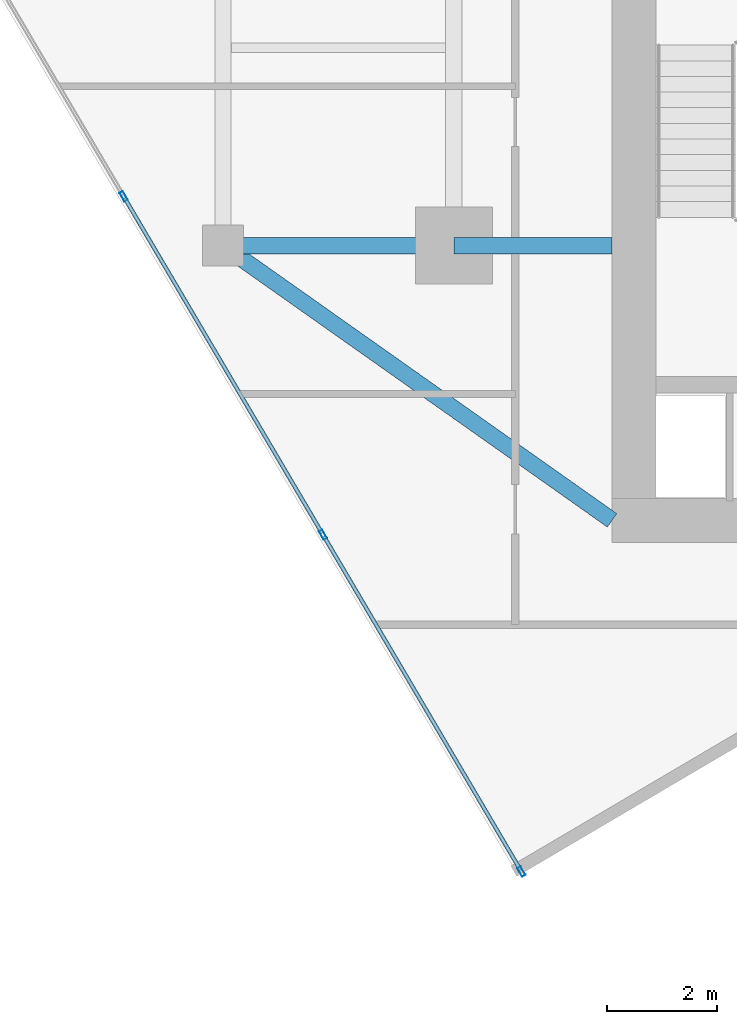
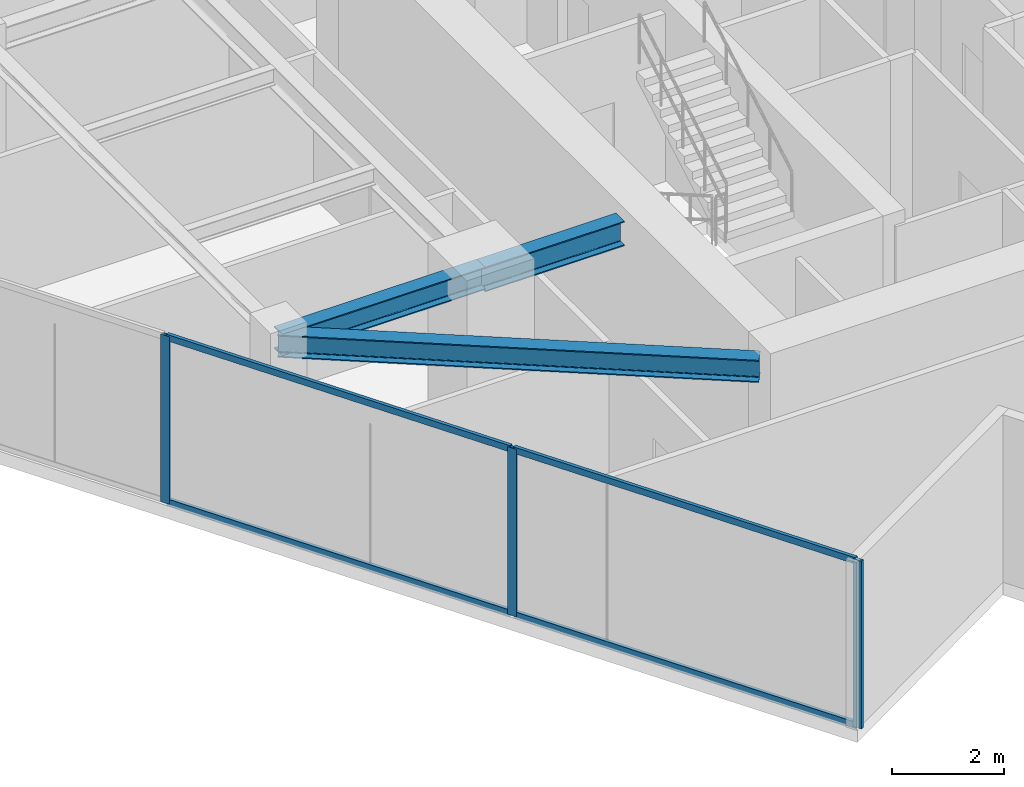
# One storey, part 2 of 20: 7 members, 3 beams, 1 element without a shape of its own.
"""IFC4 building model written with IfcOpenShell, lengths in metres."""

from ifc_helpers import new_model, si_unit, direction, frame, origin, origin_2d, place, context, subcontext, project, spatial, hollow_rectangle, i_section, extrude, source, transform, mapped, material, material_profile, profile_set, type_object, type_shapes, element, aggregate, save


model = new_model("IFC4")

# Units and contexts
model_context = context("Model", 3, precision=1e-05, world=origin(), true_north=direction((0.0, 1.0)))
body_context = subcontext(model_context, "Body", "Model", "MODEL_VIEW")
ifc_project = project(units=[si_unit("LENGTHUNIT", "METRE"), si_unit("AREAUNIT", "SQUARE_METRE"), si_unit("VOLUMEUNIT", "CUBIC_METRE"), si_unit("PLANEANGLEUNIT", "RADIAN"), si_unit("MASSUNIT", "GRAM", prefix="KILO")], contexts=[model_context])

# Site, building, storey
site_placement = place(None, origin())
site = spatial("IfcSite", under=ifc_project, at=site_placement, CompositionType="ELEMENT")
building_placement = place(site_placement, origin())
building = spatial("IfcBuilding", under=site, at=building_placement, Name="Krantzveldt Concourse Tower", CompositionType="ELEMENT")
storey_placement = place(building_placement, frame((0.0, 0.0, 299.0)))
storey = spatial("IfcBuildingStorey", under=building, at=storey_placement, Name="L73", CompositionType="ELEMENT", Elevation=299.0)

# Beams
ifc_material_1 = material(Name="Steel S355JR", Category="steel")
ifc_material_profile_1 = material_profile(ifc_material_1, i_section(OverallWidth=0.300048828125, OverallDepth=0.489990234375, WebThickness=0.011962890625, FlangeThickness=0.02294921875, FilletRadius=0.027099609375, at=origin_2d()), Name="Steel S355JR", Category="steel")
ifc_profile_set_1 = profile_set([ifc_material_profile_1], Name="Steel S355JR - HEA 500")
beam_type_1 = type_object("IfcBeamType", Name="BM-B-HEA500", PredefinedType="BEAM", material=ifc_profile_set_1)
shared_shape_1 = source(origin(), body_context, "Body", "SweptSolid", [
    extrude(i_section(OverallWidth=0.300048828125, OverallDepth=0.489990234375, WebThickness=0.011962890625, FlangeThickness=0.02294921875, FilletRadius=0.027099609375, at=origin_2d()), origin(), (0.0, 0.0, 1.0), 4.199951171875),
])
beam_1_placement = place(storey_placement, frame((21.0, 15.89990234375, 3.425048828125), z_axis=(1.0, 0.0, 0.0), x_axis=(0.0, 1.0, 0.0)))
element("IfcBeam", 1, at=beam_1_placement, inside=storey, type_object=beam_type_1, Name="L73 Tower Girder BR-RL1", PredefinedType="BEAM", context=body_context, shape_type="MappedRepresentation", body=[
    mapped(shared_shape_1, transform((0.0, 0.0, 0.0), x_axis=(1.0, 0.0, 0.0), y_axis=(0.0, 1.0, 0.0), z_axis=(0.0, 0.0, 1.0), scale=1.0)),
])
shared_shape_2 = source(origin(), body_context, "Body", "SweptSolid", [
    extrude(i_section(OverallWidth=0.300048828125, OverallDepth=0.489990234375, WebThickness=0.011962890625, FlangeThickness=0.02294921875, FilletRadius=0.027099609375, at=origin_2d()), origin(), (0.0, 0.0, 1.0), 8.667724609375),
])
type_shapes(beam_type_1, [shared_shape_1, shared_shape_2])
beam_2_placement = place(storey_placement, frame((21.0, 15.89990234375, 3.425048828125), z_axis=(0.81684294656, -0.576860122261, 0.0), x_axis=(0.576860122261, 0.81684294656, 0.0)))
element("IfcBeam", 2, at=beam_2_placement, inside=storey, type_object=beam_type_1, Name="L73 Tower Girder BR-CSW", PredefinedType="BEAM", context=body_context, shape_type="MappedRepresentation", body=[
    mapped(shared_shape_2, transform((0.0, 0.0, 0.0), x_axis=(1.0, 0.0, 0.0), y_axis=(0.0, 1.0, 0.0), z_axis=(0.0, 0.0, 1.0), scale=1.0)),
])
ifc_material_profile_2 = material_profile(ifc_material_1, i_section(OverallWidth=0.300048828125, OverallDepth=0.5400390625, WebThickness=0.012451171875, FlangeThickness=0.02392578125, FilletRadius=0.027099609375, at=origin_2d()), Name="Steel S355JR", Category="steel")
ifc_profile_set_2 = profile_set([ifc_material_profile_2], Name="Steel S355JR - HEA 550")
beam_type_2 = type_object("IfcBeamType", Name="BM-B-HEA550", PredefinedType="BEAM", material=ifc_profile_set_2)
shared_shape_3 = source(origin(), body_context, "Body", "SweptSolid", [
    extrude(i_section(OverallWidth=0.300048828125, OverallDepth=0.5400390625, WebThickness=0.012451171875, FlangeThickness=0.02392578125, FilletRadius=0.027099609375, at=origin_2d()), origin(), (0.0, 0.0, 1.0), 2.880126953125),
])
type_shapes(beam_type_2, [shared_shape_3])
beam_3_placement = place(storey_placement, frame((25.199951171875, 15.89990234375, 3.39990234375), z_axis=(1.0, 0.0, 0.0), x_axis=(0.0, 1.0, 0.0)))
element("IfcBeam", 3, at=beam_3_placement, inside=storey, type_object=beam_type_2, Name="L73 Tower Girder BG-CW1", PredefinedType="BEAM", context=body_context, shape_type="MappedRepresentation", body=[
    mapped(shared_shape_3, transform((0.0, 0.0, 0.0), x_axis=(1.0, 0.0, 0.0), y_axis=(0.0, 1.0, 0.0), z_axis=(0.0, 0.0, 1.0), scale=1.0)),
])

# Curtain wall, members
ifc_material_2 = material(Name="Anodised aluminium 6063-T6", Category="aluminium")
curtain_wall_type = type_object("IfcCurtainWallType", Name="CW4", PredefinedType="USERDEFINED", material=ifc_material_2)
curtain_wall_placement = place(storey_placement, origin())
curtain_wall = element("IfcCurtainWall", 4, at=curtain_wall_placement, inside=storey, type_object=curtain_wall_type, Name="CW-L73-F04", ObjectType="UNITISED CURTAIN WALL", PredefinedType="USERDEFINED")
ifc_material_profile_3 = material_profile(ifc_material_2, hollow_rectangle(XDim=0.070068359375, YDim=0.179931640625, WallThickness=0.0048828125, at=origin_2d()), Name="Anodised aluminium 6063-T6", Category="aluminium")
ifc_profile_set_3 = profile_set([ifc_material_profile_3], Name="Anodised aluminium 6063-T6 - ALU-MULL 180x70x5")
member_type_1 = type_object("IfcMemberType", Name="CW-MUL-180", PredefinedType="MULLION", material=ifc_profile_set_3)
shared_shape_4 = source(origin(), body_context, "Body", "SweptSolid", [
    extrude(hollow_rectangle(XDim=0.070068359375, YDim=0.179931640625, WallThickness=0.0048828125, at=origin_2d()), origin(), (0.0, 0.0, 1.0), 3.669921875),
])
type_shapes(member_type_1, [shared_shape_4])
member_1_placement = place(storey_placement, frame((19.189697265625, 16.7978515625, 0.0), z_axis=(0.0, 0.0, 1.0), x_axis=(0.861629171479, 0.507538344223, 0.0)))
member_1 = element("IfcMember", 5, at=member_1_placement, type_object=member_type_1, Name="CW-Z56 mullion 3", PredefinedType="MULLION", context=body_context, shape_type="MappedRepresentation", body=[
    mapped(shared_shape_4, transform((0.0, 0.0, 0.0), x_axis=(1.0, 0.0, 0.0), y_axis=(0.0, 1.0, 0.0), z_axis=(0.0, 0.0, 1.0), scale=1.0)),
])
member_2_placement = place(storey_placement, frame((22.818603515625, 10.63720703125, 0.0), z_axis=(0.0, 0.0, 1.0), x_axis=(0.861629171479, 0.507538344223, 0.0)))
member_2 = element("IfcMember", 6, at=member_2_placement, type_object=member_type_1, Name="CW-Z56 mullion 4", PredefinedType="MULLION", context=body_context, shape_type="MappedRepresentation", body=[
    mapped(shared_shape_4, transform((0.0, 0.0, 0.0), x_axis=(1.0, 0.0, 0.0), y_axis=(0.0, 1.0, 0.0), z_axis=(0.0, 0.0, 1.0), scale=1.0)),
])
member_3_placement = place(storey_placement, frame((26.4296875, 4.5068359375, 0.0), z_axis=(0.0, 0.0, 1.0), x_axis=(0.861629171479, 0.507538344223, 0.0)))
member_3 = element("IfcMember", 7, at=member_3_placement, type_object=member_type_1, Name="CW-Z56 mullion 5", PredefinedType="MULLION", context=body_context, shape_type="MappedRepresentation", body=[
    mapped(shared_shape_4, transform((0.0, 0.0, 0.0), x_axis=(1.0, 0.0, 0.0), y_axis=(0.0, 1.0, 0.0), z_axis=(0.0, 0.0, 1.0), scale=1.0)),
])
ifc_material_profile_4 = material_profile(ifc_material_2, hollow_rectangle(XDim=0.070068359375, YDim=0.139892578125, WallThickness=0.0048828125, at=origin_2d()), Name="Anodised aluminium 6063-T6", Category="aluminium")
ifc_profile_set_4 = profile_set([ifc_material_profile_4], Name="Anodised aluminium 6063-T6 - ALU-TRAN 140x70x5")
member_type_2 = type_object("IfcMemberType", Name="CW-TRN-150", PredefinedType="USERDEFINED", material=ifc_profile_set_4)
shared_shape_5 = source(origin(), body_context, "Body", "SweptSolid", [
    extrude(hollow_rectangle(XDim=0.070068359375, YDim=0.139892578125, WallThickness=0.0048828125, at=origin_2d()), origin(), (0.0, 0.0, 1.0), 7.080078125),
])
member_4_placement = place(storey_placement, frame((19.207275390625, 16.767822265625, 0.034912109375), z_axis=(0.507551986665, -0.861621135321, 0.0), x_axis=(0.861621135321, 0.507551986665, 0.0)))
member_4 = element("IfcMember", 8, at=member_4_placement, type_object=member_type_2, Name="CW-Z56 transom 3.1", ObjectType="TRANSOM", PredefinedType="USERDEFINED", context=body_context, shape_type="MappedRepresentation", body=[
    mapped(shared_shape_5, transform((0.0, 0.0, 0.0), x_axis=(1.0, 0.0, 0.0), y_axis=(0.0, 1.0, 0.0), z_axis=(0.0, 0.0, 1.0), scale=1.0)),
])
member_5_placement = place(storey_placement, frame((19.207275390625, 16.767822265625, 3.635009765625), z_axis=(0.507551986665, -0.861621135321, 0.0), x_axis=(0.861621135321, 0.507551986665, 0.0)))
member_5 = element("IfcMember", 9, at=member_5_placement, type_object=member_type_2, Name="CW-Z56 transom 3.2", ObjectType="TRANSOM", PredefinedType="USERDEFINED", context=body_context, shape_type="MappedRepresentation", body=[
    mapped(shared_shape_5, transform((0.0, 0.0, 0.0), x_axis=(1.0, 0.0, 0.0), y_axis=(0.0, 1.0, 0.0), z_axis=(0.0, 0.0, 1.0), scale=1.0)),
])
shared_shape_6 = source(origin(), body_context, "Body", "SweptSolid", [
    extrude(hollow_rectangle(XDim=0.070068359375, YDim=0.139892578125, WallThickness=0.0048828125, at=origin_2d()), origin(), (0.0, 0.0, 1.0), 7.045166015625),
])
type_shapes(member_type_2, [shared_shape_5, shared_shape_6])
member_6_placement = place(storey_placement, frame((22.836181640625, 10.607177734375, 0.034912109375), z_axis=(0.507537969638, -0.861629392126, 0.0), x_axis=(0.861629392126, 0.507537969638, 0.0)))
member_6 = element("IfcMember", 10, at=member_6_placement, type_object=member_type_2, Name="CW-Z56 transom 4.1", ObjectType="TRANSOM", PredefinedType="USERDEFINED", context=body_context, shape_type="MappedRepresentation", body=[
    mapped(shared_shape_6, transform((0.0, 0.0, 0.0), x_axis=(1.0, 0.0, 0.0), y_axis=(0.0, 1.0, 0.0), z_axis=(0.0, 0.0, 1.0), scale=1.0)),
])
member_7_placement = place(storey_placement, frame((22.836181640625, 10.607177734375, 3.635009765625), z_axis=(0.507537969638, -0.861629392126, 0.0), x_axis=(0.861629392126, 0.507537969638, 0.0)))
member_7 = element("IfcMember", 11, at=member_7_placement, type_object=member_type_2, Name="CW-Z56 transom 4.2", ObjectType="TRANSOM", PredefinedType="USERDEFINED", context=body_context, shape_type="MappedRepresentation", body=[
    mapped(shared_shape_6, transform((0.0, 0.0, 0.0), x_axis=(1.0, 0.0, 0.0), y_axis=(0.0, 1.0, 0.0), z_axis=(0.0, 0.0, 1.0), scale=1.0)),
])
aggregate(curtain_wall, [member_1, member_2, member_3, member_4, member_5, member_6, member_7])

save(model, "model.ifc")
